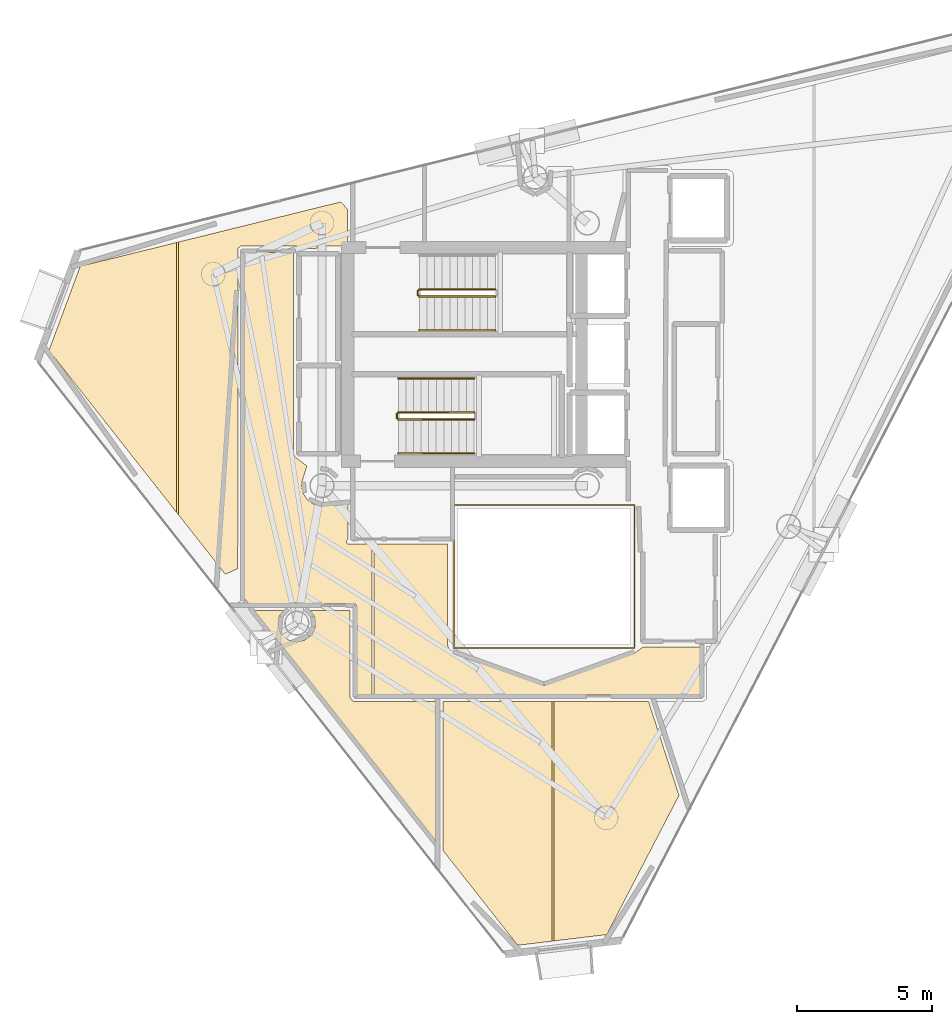
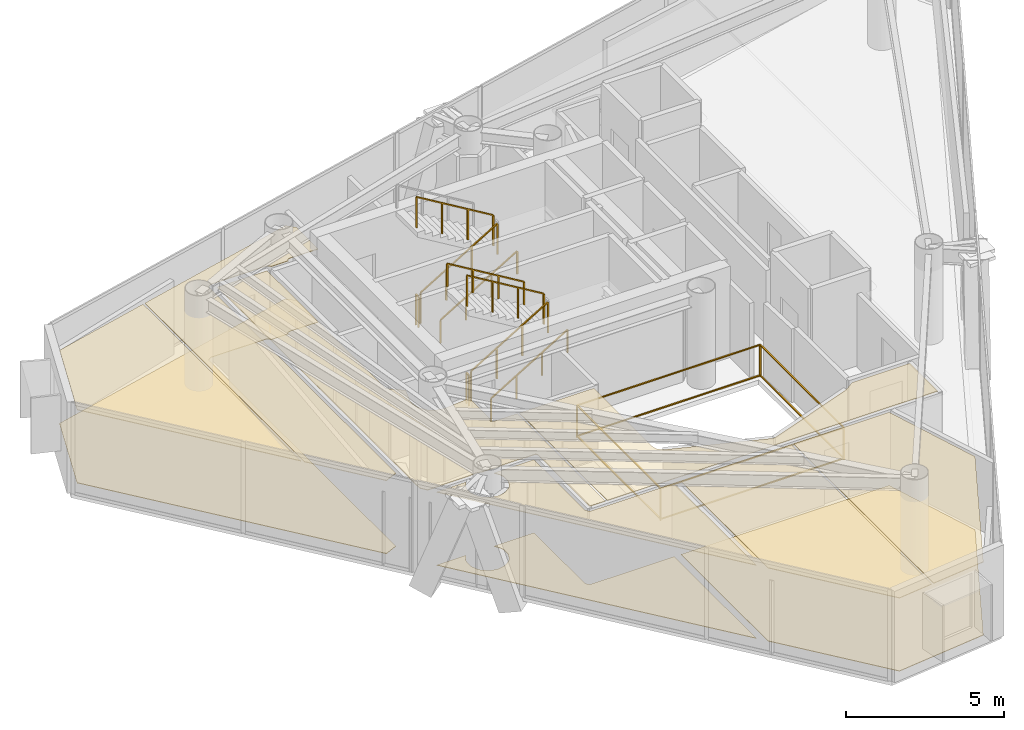
# One storey, part 20 of 21: 10 coverings, 10 railings.
"""IFC4 building model written with IfcOpenShell, lengths in metres."""

from ifc_helpers import new_model, si_unit, direction, frame, origin, origin_2d, place, context, subcontext, project, spatial, polyline, rectangle, outline, extrude, material, layer, layer_set, type_object, element, save


model = new_model("IFC4")

# Units and contexts
model_context = context("Model", 3, precision=1e-05, world=origin(), true_north=direction((0.0, 1.0)))
body_context = subcontext(model_context, "Body", "Model", "MODEL_VIEW")
ifc_project = project(units=[si_unit("LENGTHUNIT", "METRE"), si_unit("AREAUNIT", "SQUARE_METRE"), si_unit("VOLUMEUNIT", "CUBIC_METRE"), si_unit("PLANEANGLEUNIT", "RADIAN"), si_unit("MASSUNIT", "GRAM", prefix="KILO")], contexts=[model_context])

# Site, building, storey
site_placement = place(None, origin())
site = spatial("IfcSite", under=ifc_project, at=site_placement, CompositionType="ELEMENT")
building_placement = place(site_placement, origin())
building = spatial("IfcBuilding", under=site, at=building_placement, Name="Qianvela Tower", CompositionType="ELEMENT")
storey_placement = place(building_placement, frame((0.0, 0.0, 310.199951171875)))
storey = spatial("IfcBuildingStorey", under=building, at=storey_placement, Name="L80", CompositionType="ELEMENT", Elevation=310.199951171875)

# Coverings
ifc_material_1 = material(Name="Perforated Mineral Acoustic Ceiling Tile")
ifc_layer_1 = layer(ifc_material_1, 0.02490234375)
ifc_layer_set_1 = layer_set([ifc_layer_1], Name="Perforated Mineral Acoustic Ceiling Tile")
covering_type_1 = type_object("IfcCoveringType", Name="COV-CEIL-ACOUSTIC-25", PredefinedType="CEILING", material=ifc_layer_set_1)
covering_1_placement = place(storey_placement, frame((0.0, 0.0, 2.81494140625)))
element("IfcCovering", 1, at=covering_1_placement, inside=storey, type_object=covering_type_1, Name="L80 Acoustic Ceiling Bay 1 L80 Floor Corridor", PredefinedType="CEILING", context=body_context, shape_type="SweptSolid", body=[
    extrude(outline(polyline([(27.5400390625, 32.469970703125), (27.5400390625, 25.04638671875), (27.540283203125, 25.038818359375), (27.54150390625, 25.03125), (27.543212890625, 25.023681640625), (27.545654296875, 25.0166015625), (27.548828125, 25.009765625), (27.552734375, 25.003173828125), (27.61328125, 24.90869140625), (27.61767578125, 24.90283203125), (27.622314453125, 24.8974609375), (27.62744140625, 24.892333984375), (27.633056640625, 24.8876953125), (28.042236328125, 24.584228515625), (27.8662109375, 24.00390625), (27.864501953125, 23.996337890625), (27.86328125, 23.988525390625), (27.850341796875, 23.85791015625), (27.85009765625, 23.85009765625), (27.850341796875, 23.84228515625), (27.8515625, 23.83447265625), (27.902587890625, 23.577880859375), (27.904296875, 23.5703125), (27.906982421875, 23.56298828125), (27.910400390625, 23.555908203125), (27.91455078125, 23.54931640625), (28.059814453125, 23.331787109375), (28.064453125, 23.325439453125), (28.069580078125, 23.319580078125), (28.075439453125, 23.314453125), (28.081787109375, 23.309814453125), (28.29931640625, 23.16455078125), (28.305908203125, 23.160400390625), (28.31298828125, 23.156982421875), (28.3203125, 23.154296875), (28.327880859375, 23.152587890625), (28.58447265625, 23.1015625), (28.59228515625, 23.100341796875), (28.60009765625, 23.10009765625), (28.60791015625, 23.100341796875), (29.55810546875, 23.194091796875), (29.55810546875, 21.877685546875), (29.52001953125, 21.82958984375), (29.515380859375, 21.822998046875), (29.51171875, 21.81640625), (29.508544921875, 21.809326171875), (29.506103515625, 21.802001953125), (29.504150390625, 21.794189453125), (29.503173828125, 21.78662109375), (29.5029296875, 21.77880859375), (29.50341796875, 21.77099609375), (29.504638671875, 21.763427734375), (29.506591796875, 21.755859375), (29.50927734375, 21.74853515625), (29.5126953125, 21.74169921875), (29.516845703125, 21.735107421875), (29.521484375, 21.728759765625), (29.52685546875, 21.722900390625), (29.53271484375, 21.7177734375), (29.538818359375, 21.713134765625), (29.54541015625, 21.709228515625), (29.552490234375, 21.7060546875), (29.559814453125, 21.703369140625), (29.5673828125, 21.701416015625), (29.5751953125, 21.700439453125), (29.5830078125, 21.699951171875), (30.444580078125, 21.699951171875), (30.444580078125, 16.1298828125), (29.8798828125, 16.1298828125), (29.8798828125, 19.39990234375), (29.879638671875, 19.40771484375), (29.87841796875, 19.41552734375), (29.876708984375, 19.423095703125), (29.873779296875, 19.4306640625), (29.87060546875, 19.437744140625), (29.866455078125, 19.4443359375), (29.86181640625, 19.45068359375), (29.856689453125, 19.45654296875), (29.850830078125, 19.4619140625), (29.844482421875, 19.466552734375), (29.837646484375, 19.470703125), (29.83056640625, 19.473876953125), (29.8232421875, 19.4765625), (29.815673828125, 19.478515625), (29.807861328125, 19.4794921875), (29.800048828125, 19.47998046875), (27.910888671875, 19.47998046875), (27.684814453125, 19.522705078125), (27.677490234375, 19.523681640625), (27.669921875, 19.52392578125), (27.66259765625, 19.523681640625), (27.6552734375, 19.522705078125), (27.42919921875, 19.47998046875), (25.898681640625, 19.47998046875), (25.72998046875, 19.694091796875), (25.72998046875, 32.469970703125), (27.5400390625, 32.469970703125)])), origin(), (0.0, 0.0, 1.0), 0.025146484375),
])
covering_2_placement = place(storey_placement, frame((0.0, 0.0, 2.81494140625)))
element("IfcCovering", 2, at=covering_2_placement, inside=storey, type_object=covering_type_1, Name="L80 Acoustic Ceiling Bay 2 L80 Floor Corridor", PredefinedType="CEILING", context=body_context, shape_type="SweptSolid", body=[
    extrude(outline(polyline([(33.239990234375, 21.699951171875), (33.239990234375, 18.0), (33.240478515625, 17.990234375), (33.242431640625, 17.980712890625), (33.275390625, 17.8486328125), (33.277587890625, 17.841796875), (33.2802734375, 17.8349609375), (33.283447265625, 17.82861328125), (33.287353515625, 17.822509765625), (33.29150390625, 17.81689453125), (33.29638671875, 17.811279296875), (33.411376953125, 17.696533203125), (33.41796875, 17.690673828125), (33.42529296875, 17.685546875), (33.432861328125, 17.68115234375), (33.44091796875, 17.677734375), (36.77294921875, 16.482666015625), (36.780517578125, 16.48046875), (36.7880859375, 16.47900390625), (36.7958984375, 16.47802734375), (36.803955078125, 16.47802734375), (36.811767578125, 16.47900390625), (36.8193359375, 16.48046875), (36.826904296875, 16.482666015625), (40.134033203125, 17.666015625), (40.140869140625, 17.668701171875), (40.1474609375, 17.672119140625), (40.153564453125, 17.676025390625), (40.458740234375, 17.89306640625), (42.570068359375, 17.899658203125), (42.570068359375, 16.1298828125), (30.5244140625, 16.1298828125), (30.5244140625, 21.699951171875), (33.239990234375, 21.699951171875)])), origin(), (0.0, 0.0, 1.0), 0.025146484375),
])
covering_3_placement = place(storey_placement, frame((0.0, 0.0, 2.81494140625)))
element("IfcCovering", 3, at=covering_3_placement, inside=storey, type_object=covering_type_1, Name="L80 Acoustic Ceiling Shared Communal Kitchen L80-01", PredefinedType="CEILING", context=body_context, shape_type="SweptSolid", body=[
    extrude(outline(polyline([(27.16552734375, 19.239990234375), (27.039794921875, 19.052001953125), (27.035888671875, 19.045166015625), (27.032470703125, 19.0380859375), (27.02978515625, 19.03076171875), (26.9951171875, 18.916259765625), (26.993408203125, 18.90869140625), (26.9921875, 18.90087890625), (26.99169921875, 18.89306640625), (26.99169921875, 18.655029296875), (26.9921875, 18.647216796875), (26.993408203125, 18.639404296875), (26.9951171875, 18.6318359375), (26.997802734375, 18.62451171875), (27.0888671875, 18.404541015625), (27.09228515625, 18.3974609375), (27.09619140625, 18.390625), (27.10107421875, 18.384521484375), (27.1767578125, 18.2919921875), (27.18212890625, 18.2861328125), (27.18798828125, 18.28076171875), (27.194091796875, 18.276123046875), (27.39208984375, 18.143798828125), (27.39892578125, 18.139892578125), (27.406005859375, 18.136474609375), (27.413330078125, 18.1337890625), (27.4208984375, 18.132080078125), (27.654296875, 18.08544921875), (27.662109375, 18.08447265625), (27.669921875, 18.083984375), (27.677734375, 18.08447265625), (27.685546875, 18.08544921875), (27.9189453125, 18.132080078125), (27.9267578125, 18.1337890625), (27.93408203125, 18.136474609375), (27.941162109375, 18.139892578125), (27.947998046875, 18.143798828125), (28.145751953125, 18.276123046875), (28.152099609375, 18.28076171875), (28.157958984375, 18.2861328125), (28.1630859375, 18.2919921875), (28.239013671875, 18.384521484375), (28.24365234375, 18.390625), (28.247802734375, 18.3974609375), (28.251220703125, 18.404541015625), (28.34228515625, 18.62451171875), (28.3447265625, 18.6318359375), (28.3466796875, 18.639404296875), (28.347900390625, 18.647216796875), (28.348388671875, 18.655029296875), (28.348388671875, 18.89306640625), (28.347900390625, 18.90087890625), (28.3466796875, 18.90869140625), (28.3447265625, 18.916259765625), (28.31005859375, 19.03076171875), (28.3076171875, 19.0380859375), (28.30419921875, 19.045166015625), (28.300048828125, 19.052001953125), (28.17431640625, 19.239990234375), (29.639892578125, 19.239990234375), (29.639892578125, 16.050048828125), (29.640380859375, 16.042236328125), (29.6416015625, 16.034423828125), (29.643310546875, 16.02685546875), (29.64599609375, 16.019287109375), (29.6494140625, 16.01220703125), (29.653564453125, 16.005615234375), (29.658203125, 15.999267578125), (29.72265625, 15.9208984375), (29.727783203125, 15.9150390625), (29.733642578125, 15.90966796875), (29.739990234375, 15.905029296875), (29.74658203125, 15.90087890625), (29.75390625, 15.897705078125), (29.76123046875, 15.89501953125), (29.768798828125, 15.89306640625), (29.776611328125, 15.891845703125), (29.784423828125, 15.8916015625), (32.818359375, 15.89111328125), (32.818359375, 10.699462890625), (26.087890625, 19.239990234375), (27.16552734375, 19.239990234375)])), origin(), (0.0, 0.0, 1.0), 0.025146484375),
])
covering_4_placement = place(storey_placement, frame((0.0, 0.0, 2.81494140625)))
element("IfcCovering", 4, at=covering_4_placement, inside=storey, type_object=covering_type_1, Name="L80 Acoustic Ceiling Bay 1 Floor Dining Kitchen L80-03", PredefinedType="CEILING", context=body_context, shape_type="SweptSolid", body=[
    extrude(outline(polyline([(18.518798828125, 28.844482421875), (19.672607421875, 31.95166015625), (23.227783203125, 32.83056640625), (23.227783203125, 22.869384765625), (18.518798828125, 28.844482421875)])), origin(), (0.0, 0.0, 1.0), 0.025146484375),
])
covering_5_placement = place(storey_placement, frame((0.0, 0.0, 2.81494140625)))
element("IfcCovering", 5, at=covering_5_placement, inside=storey, type_object=covering_type_1, Name="L80 Acoustic Ceiling Bay 2 Floor Dining Kitchen L80-03", PredefinedType="CEILING", context=body_context, shape_type="SweptSolid", body=[
    extrude(outline(polyline([(29.5400390625, 34.067138671875), (29.5400390625, 32.700439453125), (28.54296875, 32.709716796875), (28.53662109375, 32.70947265625), (28.530029296875, 32.708740234375), (28.4677734375, 32.69921875), (28.460205078125, 32.697509765625), (28.452880859375, 32.6953125), (28.446044921875, 32.6923828125), (28.439208984375, 32.688720703125), (28.432861328125, 32.6845703125), (28.427001953125, 32.6796875), (28.42138671875, 32.674560546875), (28.41650390625, 32.668701171875), (28.412109375, 32.662353515625), (28.408447265625, 32.65576171875), (28.405517578125, 32.648681640625), (28.403076171875, 32.6416015625), (28.4013671875, 32.634033203125), (28.400390625, 32.62646484375), (28.39892578125, 32.609619140625), (27.7626953125, 32.607666015625), (27.759521484375, 32.6201171875), (27.757080078125, 32.62744140625), (27.754150390625, 32.634765625), (27.75048828125, 32.6416015625), (27.74609375, 32.648193359375), (27.7412109375, 32.654296875), (27.735595703125, 32.659912109375), (27.7294921875, 32.6650390625), (27.722900390625, 32.66943359375), (27.716064453125, 32.673095703125), (27.654296875, 32.702392578125), (27.647705078125, 32.705078125), (27.64111328125, 32.707275390625), (27.634033203125, 32.708740234375), (27.627197265625, 32.709716796875), (27.6201171875, 32.7099609375), (25.64990234375, 32.7099609375), (25.642578125, 32.709716796875), (25.635498046875, 32.708740234375), (25.62841796875, 32.70703125), (25.62158203125, 32.70458984375), (25.61474609375, 32.701904296875), (25.6083984375, 32.6982421875), (25.602294921875, 32.6943359375), (25.52587890625, 32.637451171875), (25.519287109375, 32.632080078125), (25.513671875, 32.626220703125), (25.50830078125, 32.619873046875), (25.50390625, 32.61279296875), (25.500244140625, 32.60546875), (25.497314453125, 32.59765625), (25.4951171875, 32.589599609375), (25.493896484375, 32.58154296875), (25.493408203125, 32.5732421875), (25.489990234375, 20.786376953125), (25.030517578125, 20.581787109375), (23.3076171875, 22.767822265625), (23.3076171875, 32.850341796875), (29.28759765625, 34.32861328125), (29.5400390625, 34.067138671875)])), origin(), (0.0, 0.0, 1.0), 0.025146484375),
])
covering_6_placement = place(storey_placement, frame((0.0, 0.0, 2.81494140625)))
element("IfcCovering", 6, at=covering_6_placement, inside=storey, type_object=covering_type_1, Name="L80 Acoustic Ceiling Bay 1 Social Galley Kitchen L80-04", PredefinedType="CEILING", context=body_context, shape_type="SweptSolid", body=[
    extrude(outline(polyline([(37.0908203125, 15.890380859375), (37.0908203125, 7.031494140625), (35.828369140625, 6.8798828125), (33.062255859375, 10.389892578125), (33.062255859375, 15.89111328125), (37.0908203125, 15.890380859375)])), origin(), (0.0, 0.0, 1.0), 0.025146484375),
])
covering_7_placement = place(storey_placement, frame((0.0, 0.0, 2.81494140625)))
element("IfcCovering", 7, at=covering_7_placement, inside=storey, type_object=covering_type_1, Name="L80 Acoustic Ceiling Bay 2 Social Galley Kitchen L80-04", PredefinedType="CEILING", context=body_context, shape_type="SweptSolid", body=[
    extrude(outline(polyline([(40.65673828125, 15.889892578125), (41.784912109375, 12.417236328125), (39.118896484375, 7.275390625), (37.1708984375, 7.041259765625), (37.1708984375, 15.890380859375), (40.65673828125, 15.889892578125)])), origin(), (0.0, 0.0, 1.0), 0.025146484375),
])
ifc_material_2 = material(Name="Engineered Acoustic Oak Timber Flooring", Category="wood")
ifc_layer_2 = layer(ifc_material_2, 0.02001953125)
ifc_layer_set_2 = layer_set([ifc_layer_2], Name="Engineered Acoustic Oak Timber Flooring")
covering_type_2 = type_object("IfcCoveringType", Name="COV-FLOOR-OAK-20", PredefinedType="FLOORING", material=ifc_layer_set_2)
covering_8_placement = place(storey_placement, origin())
element("IfcCovering", 8, at=covering_8_placement, inside=storey, type_object=covering_type_2, Name="L80 Finish Flooring Shared Communal Kitchen L80-01", PredefinedType="FLOORING", context=body_context, shape_type="SweptSolid", body=[
    extrude(outline(polyline([(27.16552734375, 19.239990234375), (27.039794921875, 19.052001953125), (27.035888671875, 19.045166015625), (27.032470703125, 19.0380859375), (27.02978515625, 19.03076171875), (26.9951171875, 18.916259765625), (26.993408203125, 18.90869140625), (26.9921875, 18.90087890625), (26.99169921875, 18.89306640625), (26.99169921875, 18.655029296875), (26.9921875, 18.647216796875), (26.993408203125, 18.639404296875), (26.9951171875, 18.6318359375), (26.997802734375, 18.62451171875), (27.0888671875, 18.404541015625), (27.09228515625, 18.3974609375), (27.09619140625, 18.390625), (27.10107421875, 18.384521484375), (27.1767578125, 18.2919921875), (27.18212890625, 18.2861328125), (27.18798828125, 18.28076171875), (27.194091796875, 18.276123046875), (27.39208984375, 18.143798828125), (27.39892578125, 18.139892578125), (27.406005859375, 18.136474609375), (27.413330078125, 18.1337890625), (27.4208984375, 18.132080078125), (27.654296875, 18.08544921875), (27.662109375, 18.08447265625), (27.669921875, 18.083984375), (27.677734375, 18.08447265625), (27.685546875, 18.08544921875), (27.9189453125, 18.132080078125), (27.9267578125, 18.1337890625), (27.93408203125, 18.136474609375), (27.941162109375, 18.139892578125), (27.947998046875, 18.143798828125), (28.145751953125, 18.276123046875), (28.152099609375, 18.28076171875), (28.157958984375, 18.2861328125), (28.1630859375, 18.2919921875), (28.239013671875, 18.384521484375), (28.24365234375, 18.390625), (28.247802734375, 18.3974609375), (28.251220703125, 18.404541015625), (28.34228515625, 18.62451171875), (28.3447265625, 18.6318359375), (28.3466796875, 18.639404296875), (28.347900390625, 18.647216796875), (28.348388671875, 18.655029296875), (28.348388671875, 18.89306640625), (28.347900390625, 18.90087890625), (28.3466796875, 18.90869140625), (28.3447265625, 18.916259765625), (28.31005859375, 19.03076171875), (28.3076171875, 19.0380859375), (28.30419921875, 19.045166015625), (28.300048828125, 19.052001953125), (28.17431640625, 19.239990234375), (29.639892578125, 19.239990234375), (29.639892578125, 16.050048828125), (29.640380859375, 16.042236328125), (29.6416015625, 16.034423828125), (29.643310546875, 16.02685546875), (29.64599609375, 16.019287109375), (29.6494140625, 16.01220703125), (29.653564453125, 16.005615234375), (29.658203125, 15.999267578125), (29.72265625, 15.9208984375), (29.727783203125, 15.9150390625), (29.733642578125, 15.90966796875), (29.739990234375, 15.905029296875), (29.74658203125, 15.90087890625), (29.75390625, 15.897705078125), (29.76123046875, 15.89501953125), (29.768798828125, 15.89306640625), (29.776611328125, 15.891845703125), (29.784423828125, 15.8916015625), (32.818359375, 15.89111328125), (32.818359375, 10.699462890625), (26.087890625, 19.239990234375), (27.16552734375, 19.239990234375)])), origin(), (0.0, 0.0, 1.0), 0.02001953125),
])
covering_9_placement = place(storey_placement, origin())
element("IfcCovering", 9, at=covering_9_placement, inside=storey, type_object=covering_type_2, Name="L80 Finish Flooring Floor Dining Kitchen L80-03", PredefinedType="FLOORING", context=body_context, shape_type="SweptSolid", body=[
    extrude(outline(polyline([(29.28759765625, 34.32861328125), (29.5400390625, 34.067138671875), (29.5400390625, 32.700439453125), (28.54296875, 32.709716796875), (28.53662109375, 32.70947265625), (28.530029296875, 32.708740234375), (28.4677734375, 32.69921875), (28.460205078125, 32.697509765625), (28.452880859375, 32.6953125), (28.446044921875, 32.6923828125), (28.439208984375, 32.688720703125), (28.432861328125, 32.6845703125), (28.427001953125, 32.6796875), (28.42138671875, 32.674560546875), (28.41650390625, 32.668701171875), (28.412109375, 32.662353515625), (28.408447265625, 32.65576171875), (28.405517578125, 32.648681640625), (28.403076171875, 32.6416015625), (28.4013671875, 32.634033203125), (28.400390625, 32.62646484375), (28.39892578125, 32.609619140625), (27.7626953125, 32.607666015625), (27.759521484375, 32.6201171875), (27.757080078125, 32.62744140625), (27.754150390625, 32.634765625), (27.75048828125, 32.6416015625), (27.74609375, 32.648193359375), (27.7412109375, 32.654296875), (27.735595703125, 32.659912109375), (27.7294921875, 32.6650390625), (27.722900390625, 32.66943359375), (27.716064453125, 32.673095703125), (27.654296875, 32.702392578125), (27.647705078125, 32.705078125), (27.64111328125, 32.707275390625), (27.634033203125, 32.708740234375), (27.627197265625, 32.709716796875), (27.6201171875, 32.7099609375), (25.64990234375, 32.7099609375), (25.642578125, 32.709716796875), (25.635498046875, 32.708740234375), (25.62841796875, 32.70703125), (25.62158203125, 32.70458984375), (25.61474609375, 32.701904296875), (25.6083984375, 32.6982421875), (25.602294921875, 32.6943359375), (25.52587890625, 32.637451171875), (25.519287109375, 32.632080078125), (25.513671875, 32.626220703125), (25.50830078125, 32.619873046875), (25.50390625, 32.61279296875), (25.500244140625, 32.60546875), (25.497314453125, 32.59765625), (25.4951171875, 32.589599609375), (25.493896484375, 32.58154296875), (25.493408203125, 32.5732421875), (25.489990234375, 20.786376953125), (25.030517578125, 20.581787109375), (18.518798828125, 28.844482421875), (19.672607421875, 31.95166015625), (29.28759765625, 34.32861328125)])), origin(), (0.0, 0.0, 1.0), 0.02001953125),
])
covering_10_placement = place(storey_placement, origin())
element("IfcCovering", 10, at=covering_10_placement, inside=storey, type_object=covering_type_2, Name="L80 Finish Flooring Social Galley Kitchen L80-04", PredefinedType="FLOORING", context=body_context, shape_type="SweptSolid", body=[
    extrude(outline(polyline([(33.062255859375, 15.89111328125), (40.65673828125, 15.889892578125), (41.784912109375, 12.417236328125), (39.118896484375, 7.275390625), (35.828369140625, 6.8798828125), (33.062255859375, 10.389892578125), (33.062255859375, 15.89111328125)])), origin(), (0.0, 0.0, 1.0), 0.02001953125),
])

# Railings
ifc_material_3 = material(Name="Laminated Safety Glass and Stainless Steel 316", Category="steel")
railing_type_1 = type_object("IfcRailingType", Name="RL-ATRIUM-GUARD-1250", PredefinedType="GUARDRAIL", material=ifc_material_3)
railing_1_placement = place(storey_placement, frame((33.4599609375, 17.860107421875, 0.0)))
element("IfcRailing", 11, at=railing_1_placement, inside=storey, type_object=railing_type_1, Name="L80 Atrium Edge Guardrail 1", PredefinedType="GUARDRAIL", context=body_context, shape_type="SweptSolid", body=[
    extrude(rectangle(XDim=0.050048828125, YDim=0.0400390625, at=origin_2d()), frame((0.0, 0.0, 1.22998046875), z_axis=(0.0, 1.0, 0.0), x_axis=(-1.0, 0.0, 0.0)), (0.0, 0.0, 1.0), 5.27978515625),
    extrude(rectangle(XDim=0.050048828125, YDim=0.0400390625, at=origin_2d()), frame((0.0, 0.0, 0.050048828125), z_axis=(0.0, 1.0, 0.0), x_axis=(-1.0, 0.0, 0.0)), (0.0, 0.0, 1.0), 5.27978515625),
    extrude(rectangle(XDim=0.050048828125, YDim=0.0400390625, at=origin_2d()), frame((0.0, 5.27978515625, 1.22998046875), z_axis=(1.0, 0.0, 0.0), x_axis=(0.0, 1.0, 0.0)), (0.0, 0.0, 1.0), 6.679931640625),
    extrude(rectangle(XDim=0.050048828125, YDim=0.0400390625, at=origin_2d()), frame((0.0, 5.27978515625, 0.050048828125), z_axis=(1.0, 0.0, 0.0), x_axis=(0.0, 1.0, 0.0)), (0.0, 0.0, 1.0), 6.679931640625),
    extrude(rectangle(XDim=0.050048828125, YDim=0.0400390625, at=origin_2d()), frame((6.679931640625, 5.27978515625, 1.22998046875), z_axis=(0.0, -1.0, 0.0), x_axis=(1.0, 0.0, 0.0)), (0.0, 0.0, 1.0), 5.27978515625),
    extrude(rectangle(XDim=0.050048828125, YDim=0.0400390625, at=origin_2d()), frame((6.679931640625, 5.27978515625, 0.050048828125), z_axis=(0.0, -1.0, 0.0), x_axis=(1.0, 0.0, 0.0)), (0.0, 0.0, 1.0), 5.27978515625),
    extrude(rectangle(XDim=0.050048828125, YDim=0.0400390625, at=origin_2d()), frame((6.679931640625, 0.0, 1.22998046875), z_axis=(-1.0, 0.0, 0.0), x_axis=(0.0, -1.0, 0.0)), (0.0, 0.0, 1.0), 6.679931640625),
    extrude(rectangle(XDim=0.050048828125, YDim=0.0400390625, at=origin_2d()), frame((6.679931640625, 0.0, 0.050048828125), z_axis=(-1.0, 0.0, 0.0), x_axis=(0.0, -1.0, 0.0)), (0.0, 0.0, 1.0), 6.679931640625),
    extrude(rectangle(XDim=0.050048828125, YDim=0.050048828125, at=origin_2d()), origin(), (0.0, 0.0, 1.0), 1.2099609375),
    extrude(rectangle(XDim=0.050048828125, YDim=0.050048828125, at=origin_2d()), frame((0.0, 5.27978515625, 0.0)), (0.0, 0.0, 1.0), 1.2099609375),
    extrude(rectangle(XDim=0.050048828125, YDim=0.050048828125, at=origin_2d()), frame((6.679931640625, 5.27978515625, 0.0)), (0.0, 0.0, 1.0), 1.2099609375),
    extrude(rectangle(XDim=0.050048828125, YDim=0.050048828125, at=origin_2d()), frame((6.679931640625, 0.0, 0.0)), (0.0, 0.0, 1.0), 1.2099609375),
])
ifc_material_4 = material(Name="Painted Tubular Steel Q355B", Category="steel")
railing_type_2 = type_object("IfcRailingType", Name="RL-STAIR-GUARD-1200", PredefinedType="GUARDRAIL", material=ifc_material_4)
railing_2_placement = place(storey_placement, frame((32.199951171875, 30.840087890625, 0.168212890625)))
element("IfcRailing", 12, at=railing_2_placement, inside=storey, type_object=railing_type_2, Name="L80 ST-1 stair guard 1", PredefinedType="GUARDRAIL", context=body_context, shape_type="SweptSolid", body=[
    extrude(rectangle(XDim=0.050048828125, YDim=0.0400390625, at=origin_2d()), frame((0.0, 0.0, 1.179931640625), z_axis=(0.857242210791, 0.0, 0.514913383045), x_axis=(0.0, 1.0, 0.0)), (0.0, 0.0, 1.0), 3.266357421875),
    extrude(rectangle(XDim=0.050048828125, YDim=0.050048828125, at=origin_2d()), origin(), (0.0, 0.0, 1.0), 1.159912109375),
    extrude(rectangle(XDim=0.050048828125, YDim=0.050048828125, at=origin_2d()), frame((0.933349609375, 0.0, 0.560546875)), (0.0, 0.0, 1.0), 1.159912109375),
    extrude(rectangle(XDim=0.050048828125, YDim=0.050048828125, at=origin_2d()), frame((1.86669921875, 0.0, 1.121337890625)), (0.0, 0.0, 1.0), 1.159912109375),
    extrude(rectangle(XDim=0.050048828125, YDim=0.050048828125, at=origin_2d()), frame((2.800048828125, 0.0, 1.681884765625)), (0.0, 0.0, 1.0), 1.159912109375),
])
railing_3_placement = place(storey_placement, frame((35.0, 31.10009765625, 2.018310546875)))
element("IfcRailing", 13, at=railing_3_placement, inside=storey, type_object=railing_type_2, Name="L80 ST-1 stair guard 3", PredefinedType="GUARDRAIL", context=body_context, shape_type="SweptSolid", body=[
    extrude(rectangle(XDim=0.050048828125, YDim=0.0400390625, at=origin_2d()), frame((0.0, 0.0, 1.179931640625), z_axis=(-0.857275202839, 0.0, 0.514858452973), x_axis=(0.0, -1.0, 0.0)), (0.0, 0.0, 1.0), 3.26611328125),
    extrude(rectangle(XDim=0.050048828125, YDim=0.050048828125, at=origin_2d()), origin(), (0.0, 0.0, 1.0), 1.159912109375),
    extrude(rectangle(XDim=0.050048828125, YDim=0.050048828125, at=origin_2d()), frame((-0.933349609375, 0.0, 0.560546875)), (0.0, 0.0, 1.0), 1.159912109375),
    extrude(rectangle(XDim=0.050048828125, YDim=0.050048828125, at=origin_2d()), frame((-1.86669921875, 0.0, 1.12109375)), (0.0, 0.0, 1.0), 1.159912109375),
    extrude(rectangle(XDim=0.050048828125, YDim=0.050048828125, at=origin_2d()), frame((-2.800048828125, 0.0, 1.681640625)), (0.0, 0.0, 1.0), 1.159912109375),
])
railing_4_placement = place(storey_placement, frame((32.14990234375, 30.889892578125, 0.0)))
element("IfcRailing", 14, at=railing_4_placement, inside=storey, type_object=railing_type_2, Name="L80 ST-1 stair guard 4", PredefinedType="GUARDRAIL", context=body_context, shape_type="SweptSolid", body=[
    extrude(rectangle(XDim=0.050048828125, YDim=0.0400390625, at=origin_2d()), frame((0.0, 0.0, 1.179931640625), z_axis=(0.0, 1.0, 0.0), x_axis=(-1.0, 0.0, 0.0)), (0.0, 0.0, 1.0), 0.16015625),
    extrude(rectangle(XDim=0.050048828125, YDim=0.050048828125, at=origin_2d()), origin(), (0.0, 0.0, 1.0), 1.159912109375),
    extrude(rectangle(XDim=0.050048828125, YDim=0.050048828125, at=origin_2d()), frame((0.0, 0.16015625, 0.0)), (0.0, 0.0, 1.0), 1.159912109375),
])
railing_5_placement = place(storey_placement, frame((31.419921875, 26.300048828125, 0.168212890625)))
element("IfcRailing", 15, at=railing_5_placement, inside=storey, type_object=railing_type_2, Name="L80 ST-2 stair guard 1", PredefinedType="GUARDRAIL", context=body_context, shape_type="SweptSolid", body=[
    extrude(rectangle(XDim=0.050048828125, YDim=0.0400390625, at=origin_2d()), frame((0.0, 0.0, 1.179931640625), z_axis=(0.857242210791, 0.0, 0.514913383045), x_axis=(0.0, 1.0, 0.0)), (0.0, 0.0, 1.0), 3.266357421875),
    extrude(rectangle(XDim=0.050048828125, YDim=0.050048828125, at=origin_2d()), origin(), (0.0, 0.0, 1.0), 1.159912109375),
    extrude(rectangle(XDim=0.050048828125, YDim=0.050048828125, at=origin_2d()), frame((0.933349609375, 0.0, 0.560546875)), (0.0, 0.0, 1.0), 1.159912109375),
    extrude(rectangle(XDim=0.050048828125, YDim=0.050048828125, at=origin_2d()), frame((1.86669921875, 0.0, 1.121337890625)), (0.0, 0.0, 1.0), 1.159912109375),
    extrude(rectangle(XDim=0.050048828125, YDim=0.050048828125, at=origin_2d()), frame((2.800048828125, 0.0, 1.681884765625)), (0.0, 0.0, 1.0), 1.159912109375),
])
railing_6_placement = place(storey_placement, frame((34.219970703125, 26.56005859375, 2.018310546875)))
element("IfcRailing", 16, at=railing_6_placement, inside=storey, type_object=railing_type_2, Name="L80 ST-2 stair guard 3", PredefinedType="GUARDRAIL", context=body_context, shape_type="SweptSolid", body=[
    extrude(rectangle(XDim=0.050048828125, YDim=0.0400390625, at=origin_2d()), frame((0.0, 0.0, 1.179931640625), z_axis=(-0.857275202839, 0.0, 0.514858452973), x_axis=(0.0, -1.0, 0.0)), (0.0, 0.0, 1.0), 3.26611328125),
    extrude(rectangle(XDim=0.050048828125, YDim=0.050048828125, at=origin_2d()), origin(), (0.0, 0.0, 1.0), 1.159912109375),
    extrude(rectangle(XDim=0.050048828125, YDim=0.050048828125, at=origin_2d()), frame((-0.933349609375, 0.0, 0.560546875)), (0.0, 0.0, 1.0), 1.159912109375),
    extrude(rectangle(XDim=0.050048828125, YDim=0.050048828125, at=origin_2d()), frame((-1.86669921875, 0.0, 1.12109375)), (0.0, 0.0, 1.0), 1.159912109375),
    extrude(rectangle(XDim=0.050048828125, YDim=0.050048828125, at=origin_2d()), frame((-2.800048828125, 0.0, 1.681640625)), (0.0, 0.0, 1.0), 1.159912109375),
])
railing_7_placement = place(storey_placement, frame((31.3701171875, 26.35009765625, 0.0)))
element("IfcRailing", 17, at=railing_7_placement, inside=storey, type_object=railing_type_2, Name="L80 ST-2 stair guard 4", PredefinedType="GUARDRAIL", context=body_context, shape_type="SweptSolid", body=[
    extrude(rectangle(XDim=0.050048828125, YDim=0.0400390625, at=origin_2d()), frame((0.0, 0.0, 1.179931640625), z_axis=(0.0, 1.0, 0.0), x_axis=(-1.0, 0.0, 0.0)), (0.0, 0.0, 1.0), 0.159912109375),
    extrude(rectangle(XDim=0.050048828125, YDim=0.050048828125, at=origin_2d()), origin(), (0.0, 0.0, 1.0), 1.159912109375),
    extrude(rectangle(XDim=0.050048828125, YDim=0.050048828125, at=origin_2d()), frame((0.0, 0.159912109375, 0.0)), (0.0, 0.0, 1.0), 1.159912109375),
])
ifc_material_5 = material(Name="Brushed Stainless Steel 304", Category="steel")
railing_type_3 = type_object("IfcRailingType", Name="RL-STAIR-HANDRAIL-900", PredefinedType="HANDRAIL", material=ifc_material_5)
for number, where, name in (
    (18, (32.199951171875, 29.590087890625, 0.168212890625), "L80 ST-1 stair handrail 1"),
    (19, (31.419921875, 25.050048828125, 0.168212890625), "L80 ST-2 stair handrail 1"),
):
    element("IfcRailing", number, at=place(storey_placement, frame(where)), inside=storey, type_object=railing_type_3, Name=name, PredefinedType="HANDRAIL", context=body_context, shape_type="SweptSolid", body=[
        extrude(rectangle(XDim=0.050048828125, YDim=0.0400390625, at=origin_2d()), frame((0.0, 0.0, 0.8798828125), z_axis=(0.857242210791, 0.0, 0.514913383045), x_axis=(0.0, 1.0, 0.0)), (0.0, 0.0, 1.0), 3.266357421875),
        extrude(rectangle(XDim=0.050048828125, YDim=0.050048828125, at=origin_2d()), origin(), (0.0, 0.0, 1.0), 0.85986328125),
        extrude(rectangle(XDim=0.050048828125, YDim=0.050048828125, at=origin_2d()), frame((0.933349609375, 0.0, 0.560546875)), (0.0, 0.0, 1.0), 0.85986328125),
        extrude(rectangle(XDim=0.050048828125, YDim=0.050048828125, at=origin_2d()), frame((1.86669921875, 0.0, 1.121337890625)), (0.0, 0.0, 1.0), 0.85986328125),
        extrude(rectangle(XDim=0.050048828125, YDim=0.050048828125, at=origin_2d()), frame((2.800048828125, 0.0, 1.681884765625)), (0.0, 0.0, 1.0), 0.85986328125),
    ])
railing_8_placement = place(storey_placement, frame((34.219970703125, 27.81005859375, 2.018310546875)))
element("IfcRailing", 20, at=railing_8_placement, inside=storey, type_object=railing_type_3, Name="L80 ST-2 stair handrail 2", PredefinedType="HANDRAIL", context=body_context, shape_type="SweptSolid", body=[
    extrude(rectangle(XDim=0.050048828125, YDim=0.0400390625, at=origin_2d()), frame((0.0, 0.0, 0.8798828125), z_axis=(-0.857275202839, 0.0, 0.514858452973), x_axis=(0.0, -1.0, 0.0)), (0.0, 0.0, 1.0), 3.26611328125),
    extrude(rectangle(XDim=0.050048828125, YDim=0.050048828125, at=origin_2d()), origin(), (0.0, 0.0, 1.0), 0.85986328125),
    extrude(rectangle(XDim=0.050048828125, YDim=0.050048828125, at=origin_2d()), frame((-0.933349609375, 0.0, 0.560546875)), (0.0, 0.0, 1.0), 0.85986328125),
    extrude(rectangle(XDim=0.050048828125, YDim=0.050048828125, at=origin_2d()), frame((-1.86669921875, 0.0, 1.12109375)), (0.0, 0.0, 1.0), 0.85986328125),
    extrude(rectangle(XDim=0.050048828125, YDim=0.050048828125, at=origin_2d()), frame((-2.800048828125, 0.0, 1.681640625)), (0.0, 0.0, 1.0), 0.85986328125),
])

save(model, "model.ifc")
